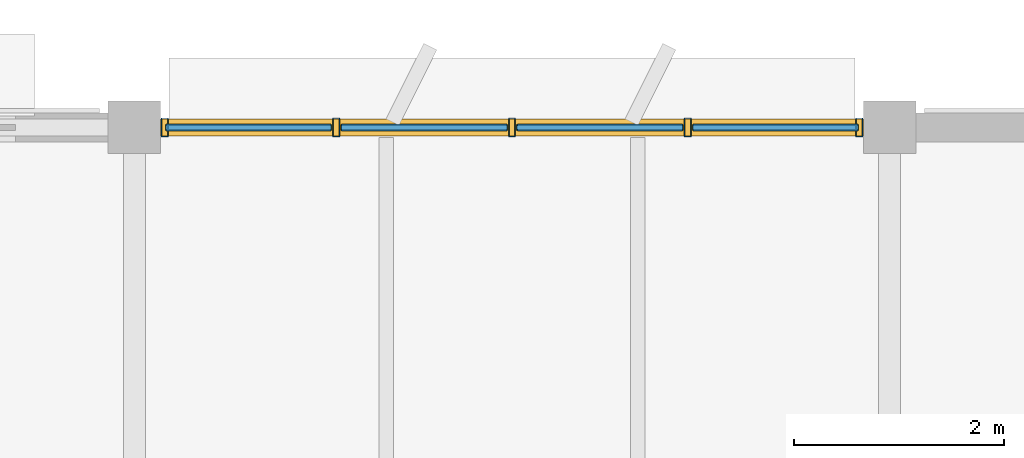
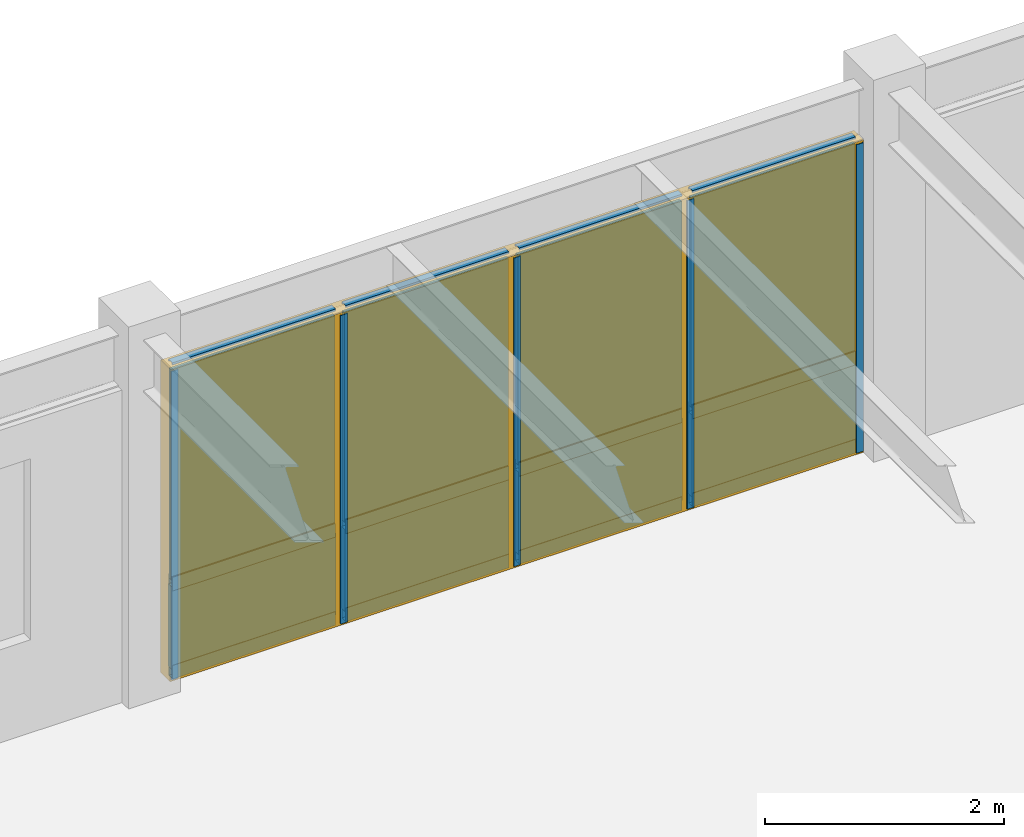
# One storey, part 16 of 23: 17 members, 8 plates, 1 curtain wall.
"""IFC4 building model written with IfcOpenShell, lengths in metres."""

from ifc_helpers import new_model, si_unit, direction, frame, origin, origin_2d, place, context, subcontext, project, spatial, rectangle, hollow_rectangle, extrude, material, layer, layer_set, material_profile, profile_set, type_object, element, aggregate, save


model = new_model("IFC4")

# Units and contexts
model_context = context("Model", 3, precision=1e-05, world=origin(), true_north=direction((0.0, 1.0)))
body_context = subcontext(model_context, "Body", "Model", "MODEL_VIEW")
ifc_project = project(units=[si_unit("LENGTHUNIT", "METRE"), si_unit("AREAUNIT", "SQUARE_METRE"), si_unit("VOLUMEUNIT", "CUBIC_METRE"), si_unit("PLANEANGLEUNIT", "RADIAN"), si_unit("MASSUNIT", "GRAM", prefix="KILO")], contexts=[model_context])

# Member
ifc_material_1 = material(Name="Anodized Aluminium 6063-T6", Category="aluminium")
ifc_material_profile_1 = material_profile(ifc_material_1, hollow_rectangle(XDim=0.06494140625, YDim=0.179931640625, WallThickness=0.00390625, at=origin_2d()), Name="ALU 65x180x4")
ifc_profile_set_1 = profile_set([ifc_material_profile_1], Name="Anodized Aluminium 6063-T6")
member_type_1 = type_object("IfcMemberType", Name="CWM-65X150", PredefinedType="MULLION", material=ifc_profile_set_1)
site_placement = place(None, origin())
building_placement = place(site_placement, origin())
storey_placement = place(building_placement, frame((0.0, 0.0, 21.89990234375)))
member_1_placement = place(storey_placement, frame((65.090087890625, 115.199951171875, 0.02001953125), z_axis=(0.0, 0.0, 1.0), x_axis=(1.0, 0.0, 0.0)))
member_1 = element("IfcMember", 1, at=member_1_placement, type_object=member_type_1, Name="Curtain wall mullion CW-L06-09-15-N-00", PredefinedType="MULLION", context=body_context, shape_type="SweptSolid", body=[
    extrude(hollow_rectangle(XDim=0.06494140625, YDim=0.179931640625, WallThickness=0.00390625, at=origin_2d()), origin(), (0.0, 0.0, 1.0), 3.152099609375),
])

member_2_placement = place(storey_placement, frame((66.72509765625, 115.199951171875, 0.02001953125), z_axis=(0.0, 0.0, 1.0), x_axis=(1.0, 0.0, 0.0)))
member_2 = element("IfcMember", 2, at=member_2_placement, type_object=member_type_1, Name="Curtain wall mullion CW-L06-09-15-N-01", PredefinedType="MULLION", context=body_context, shape_type="SweptSolid", body=[
    extrude(hollow_rectangle(XDim=0.06494140625, YDim=0.179931640625, WallThickness=0.00390625, at=origin_2d()), origin(), (0.0, 0.0, 1.0), 3.152099609375),
])

member_3_placement = place(storey_placement, frame((68.39990234375, 115.199951171875, 0.02001953125), z_axis=(0.0, 0.0, 1.0), x_axis=(1.0, 0.0, 0.0)))
member_3 = element("IfcMember", 3, at=member_3_placement, type_object=member_type_1, Name="Curtain wall mullion CW-L06-09-15-N-02", PredefinedType="MULLION", context=body_context, shape_type="SweptSolid", body=[
    extrude(hollow_rectangle(XDim=0.06494140625, YDim=0.179931640625, WallThickness=0.00390625, at=origin_2d()), origin(), (0.0, 0.0, 1.0), 3.152099609375),
])

member_4_placement = place(storey_placement, frame((70.074951171875, 115.199951171875, 0.02001953125), z_axis=(0.0, 0.0, 1.0), x_axis=(1.0, 0.0, 0.0)))
member_4 = element("IfcMember", 4, at=member_4_placement, type_object=member_type_1, Name="Curtain wall mullion CW-L06-09-15-N-03", PredefinedType="MULLION", context=body_context, shape_type="SweptSolid", body=[
    extrude(hollow_rectangle(XDim=0.06494140625, YDim=0.179931640625, WallThickness=0.00390625, at=origin_2d()), origin(), (0.0, 0.0, 1.0), 3.152099609375),
])

member_5_placement = place(storey_placement, frame((71.7099609375, 115.199951171875, 0.02001953125), z_axis=(0.0, 0.0, 1.0), x_axis=(1.0, 0.0, 0.0)))
member_5 = element("IfcMember", 5, at=member_5_placement, type_object=member_type_1, Name="Curtain wall mullion CW-L06-09-15-N-04", PredefinedType="MULLION", context=body_context, shape_type="SweptSolid", body=[
    extrude(hollow_rectangle(XDim=0.06494140625, YDim=0.179931640625, WallThickness=0.00390625, at=origin_2d()), origin(), (0.0, 0.0, 1.0), 3.152099609375),
])

ifc_material_profile_2 = material_profile(ifc_material_1, hollow_rectangle(XDim=0.06494140625, YDim=0.139892578125, WallThickness=0.00390625, at=origin_2d()), Name="ALU 65x140x4")
ifc_profile_set_2 = profile_set([ifc_material_profile_2], Name="Anodized Aluminium 6063-T6")
member_type_2 = type_object("IfcMemberType", Name="CWT-65X120", PredefinedType="USERDEFINED", material=ifc_profile_set_2)
member_6_placement = place(storey_placement, frame((65.10009765625, 115.199951171875, 0.050048828125), z_axis=(1.0, 0.0, 0.0), x_axis=(0.0, 1.0, 0.0)))
member_6 = element("IfcMember", 6, at=member_6_placement, type_object=member_type_2, Name="Curtain wall transom CW-L06-09-15-N-1.01", ObjectType="TRANSOM", PredefinedType="USERDEFINED", context=body_context, shape_type="SweptSolid", body=[
    extrude(hollow_rectangle(XDim=0.06494140625, YDim=0.139892578125, WallThickness=0.00390625, at=origin_2d()), origin(), (0.0, 0.0, 1.0), 1.574951171875),
])

member_7_placement = place(storey_placement, frame((66.77490234375, 115.199951171875, 0.050048828125), z_axis=(1.0, 0.0, 0.0), x_axis=(0.0, 1.0, 0.0)))
member_7 = element("IfcMember", 7, at=member_7_placement, type_object=member_type_2, Name="Curtain wall transom CW-L06-09-15-N-1.02", ObjectType="TRANSOM", PredefinedType="USERDEFINED", context=body_context, shape_type="SweptSolid", body=[
    extrude(hollow_rectangle(XDim=0.06494140625, YDim=0.139892578125, WallThickness=0.00390625, at=origin_2d()), origin(), (0.0, 0.0, 1.0), 1.5751953125),
])

member_8_placement = place(storey_placement, frame((68.449951171875, 115.199951171875, 0.050048828125), z_axis=(1.0, 0.0, 0.0), x_axis=(0.0, 1.0, 0.0)))
member_8 = element("IfcMember", 8, at=member_8_placement, type_object=member_type_2, Name="Curtain wall transom CW-L06-09-15-N-1.03", ObjectType="TRANSOM", PredefinedType="USERDEFINED", context=body_context, shape_type="SweptSolid", body=[
    extrude(hollow_rectangle(XDim=0.06494140625, YDim=0.139892578125, WallThickness=0.00390625, at=origin_2d()), origin(), (0.0, 0.0, 1.0), 1.574951171875),
])

member_9_placement = place(storey_placement, frame((70.125, 115.199951171875, 0.050048828125), z_axis=(1.0, 0.0, 0.0), x_axis=(0.0, 1.0, 0.0)))
member_9 = element("IfcMember", 9, at=member_9_placement, type_object=member_type_2, Name="Curtain wall transom CW-L06-09-15-N-1.04", ObjectType="TRANSOM", PredefinedType="USERDEFINED", context=body_context, shape_type="SweptSolid", body=[
    extrude(hollow_rectangle(XDim=0.06494140625, YDim=0.139892578125, WallThickness=0.00390625, at=origin_2d()), origin(), (0.0, 0.0, 1.0), 1.574951171875),
])

member_10_placement = place(storey_placement, frame((65.10009765625, 115.199951171875, 0.9501953125), z_axis=(1.0, 0.0, 0.0), x_axis=(0.0, 1.0, 0.0)))
member_10 = element("IfcMember", 10, at=member_10_placement, type_object=member_type_2, Name="Curtain wall transom CW-L06-09-15-N-2.01", ObjectType="TRANSOM", PredefinedType="USERDEFINED", context=body_context, shape_type="SweptSolid", body=[
    extrude(hollow_rectangle(XDim=0.06494140625, YDim=0.139892578125, WallThickness=0.00390625, at=origin_2d()), origin(), (0.0, 0.0, 1.0), 1.574951171875),
])

member_11_placement = place(storey_placement, frame((66.77490234375, 115.199951171875, 0.9501953125), z_axis=(1.0, 0.0, 0.0), x_axis=(0.0, 1.0, 0.0)))
member_11 = element("IfcMember", 11, at=member_11_placement, type_object=member_type_2, Name="Curtain wall transom CW-L06-09-15-N-2.02", ObjectType="TRANSOM", PredefinedType="USERDEFINED", context=body_context, shape_type="SweptSolid", body=[
    extrude(hollow_rectangle(XDim=0.06494140625, YDim=0.139892578125, WallThickness=0.00390625, at=origin_2d()), origin(), (0.0, 0.0, 1.0), 1.5751953125),
])

member_12_placement = place(storey_placement, frame((68.449951171875, 115.199951171875, 0.9501953125), z_axis=(1.0, 0.0, 0.0), x_axis=(0.0, 1.0, 0.0)))
member_12 = element("IfcMember", 12, at=member_12_placement, type_object=member_type_2, Name="Curtain wall transom CW-L06-09-15-N-2.03", ObjectType="TRANSOM", PredefinedType="USERDEFINED", context=body_context, shape_type="SweptSolid", body=[
    extrude(hollow_rectangle(XDim=0.06494140625, YDim=0.139892578125, WallThickness=0.00390625, at=origin_2d()), origin(), (0.0, 0.0, 1.0), 1.574951171875),
])

member_13_placement = place(storey_placement, frame((70.125, 115.199951171875, 0.9501953125), z_axis=(1.0, 0.0, 0.0), x_axis=(0.0, 1.0, 0.0)))
member_13 = element("IfcMember", 13, at=member_13_placement, type_object=member_type_2, Name="Curtain wall transom CW-L06-09-15-N-2.04", ObjectType="TRANSOM", PredefinedType="USERDEFINED", context=body_context, shape_type="SweptSolid", body=[
    extrude(hollow_rectangle(XDim=0.06494140625, YDim=0.139892578125, WallThickness=0.00390625, at=origin_2d()), origin(), (0.0, 0.0, 1.0), 1.574951171875),
])

member_14_placement = place(storey_placement, frame((65.10009765625, 115.199951171875, 3.14208984375), z_axis=(1.0, 0.0, 0.0), x_axis=(0.0, 1.0, 0.0)))
member_14 = element("IfcMember", 14, at=member_14_placement, type_object=member_type_2, Name="Curtain wall transom CW-L06-09-15-N-3.01", ObjectType="TRANSOM", PredefinedType="USERDEFINED", context=body_context, shape_type="SweptSolid", body=[
    extrude(hollow_rectangle(XDim=0.06494140625, YDim=0.139892578125, WallThickness=0.00390625, at=origin_2d()), origin(), (0.0, 0.0, 1.0), 1.574951171875),
])

member_15_placement = place(storey_placement, frame((66.77490234375, 115.199951171875, 3.14208984375), z_axis=(1.0, 0.0, 0.0), x_axis=(0.0, 1.0, 0.0)))
member_15 = element("IfcMember", 15, at=member_15_placement, type_object=member_type_2, Name="Curtain wall transom CW-L06-09-15-N-3.02", ObjectType="TRANSOM", PredefinedType="USERDEFINED", context=body_context, shape_type="SweptSolid", body=[
    extrude(hollow_rectangle(XDim=0.06494140625, YDim=0.139892578125, WallThickness=0.00390625, at=origin_2d()), origin(), (0.0, 0.0, 1.0), 1.5751953125),
])

member_16_placement = place(storey_placement, frame((68.449951171875, 115.199951171875, 3.14208984375), z_axis=(1.0, 0.0, 0.0), x_axis=(0.0, 1.0, 0.0)))
member_16 = element("IfcMember", 16, at=member_16_placement, type_object=member_type_2, Name="Curtain wall transom CW-L06-09-15-N-3.03", ObjectType="TRANSOM", PredefinedType="USERDEFINED", context=body_context, shape_type="SweptSolid", body=[
    extrude(hollow_rectangle(XDim=0.06494140625, YDim=0.139892578125, WallThickness=0.00390625, at=origin_2d()), origin(), (0.0, 0.0, 1.0), 1.574951171875),
])

member_17_placement = place(storey_placement, frame((70.125, 115.199951171875, 3.14208984375), z_axis=(1.0, 0.0, 0.0), x_axis=(0.0, 1.0, 0.0)))
member_17 = element("IfcMember", 17, at=member_17_placement, type_object=member_type_2, Name="Curtain wall transom CW-L06-09-15-N-3.04", ObjectType="TRANSOM", PredefinedType="USERDEFINED", context=body_context, shape_type="SweptSolid", body=[
    extrude(hollow_rectangle(XDim=0.06494140625, YDim=0.139892578125, WallThickness=0.00390625, at=origin_2d()), origin(), (0.0, 0.0, 1.0), 1.574951171875),
])

# Plate
ifc_material_2 = material(Name="Double Low-E Insulated Glazing Unit", Category="glass")
ifc_layer_1 = layer(ifc_material_2, 0.0380859375)
ifc_layer_set_1 = layer_set([ifc_layer_1], Name="Double Low-E Insulated Glazing Unit")
plate_type_1 = type_object("IfcPlateType", Name="CWP-IGU-38", PredefinedType="CURTAIN_PANEL", material=ifc_layer_set_1)
plate_1_placement = place(storey_placement, frame((65.887451171875, 115.199951171875, 0.989990234375), z_axis=(0.0, 0.0, 1.0), x_axis=(1.0, 0.0, 0.0)))
plate_1 = element("IfcPlate", 18, at=plate_1_placement, type_object=plate_type_1, Name="Curtain wall vision glazing CW-L06-09-15-N-01", PredefinedType="CURTAIN_PANEL", context=body_context, shape_type="SweptSolid", body=[
    extrude(rectangle(XDim=1.5849609375, YDim=0.0400390625, at=origin_2d()), origin(), (0.0, 0.0, 1.0), 2.14208984375),
])

plate_2_placement = place(storey_placement, frame((67.5625, 115.199951171875, 0.989990234375), z_axis=(0.0, 0.0, 1.0), x_axis=(1.0, 0.0, 0.0)))
plate_2 = element("IfcPlate", 19, at=plate_2_placement, type_object=plate_type_1, Name="Curtain wall vision glazing CW-L06-09-15-N-02", PredefinedType="CURTAIN_PANEL", context=body_context, shape_type="SweptSolid", body=[
    extrude(rectangle(XDim=1.5849609375, YDim=0.0400390625, at=origin_2d()), origin(), (0.0, 0.0, 1.0), 2.14208984375),
])

plate_3_placement = place(storey_placement, frame((69.237548828125, 115.199951171875, 0.989990234375), z_axis=(0.0, 0.0, 1.0), x_axis=(1.0, 0.0, 0.0)))
plate_3 = element("IfcPlate", 20, at=plate_3_placement, type_object=plate_type_1, Name="Curtain wall vision glazing CW-L06-09-15-N-03", PredefinedType="CURTAIN_PANEL", context=body_context, shape_type="SweptSolid", body=[
    extrude(rectangle(XDim=1.5849609375, YDim=0.0400390625, at=origin_2d()), origin(), (0.0, 0.0, 1.0), 2.14208984375),
])

plate_4_placement = place(storey_placement, frame((70.91259765625, 115.199951171875, 0.989990234375), z_axis=(0.0, 0.0, 1.0), x_axis=(1.0, 0.0, 0.0)))
plate_4 = element("IfcPlate", 21, at=plate_4_placement, type_object=plate_type_1, Name="Curtain wall vision glazing CW-L06-09-15-N-04", PredefinedType="CURTAIN_PANEL", context=body_context, shape_type="SweptSolid", body=[
    extrude(rectangle(XDim=1.5849609375, YDim=0.0400390625, at=origin_2d()), origin(), (0.0, 0.0, 1.0), 2.14208984375),
])

ifc_material_3 = material(Name="Insulated Bronze Aluminium Spandrel", Category="aluminium")
ifc_layer_2 = layer(ifc_material_3, 0.06005859375)
ifc_layer_set_2 = layer_set([ifc_layer_2], Name="Insulated Bronze Aluminium Spandrel")
plate_type_2 = type_object("IfcPlateType", Name="CWP-SPN-60", PredefinedType="CURTAIN_PANEL", material=ifc_layer_set_2)
plate_5_placement = place(storey_placement, frame((65.887451171875, 115.199951171875, 0.080078125), z_axis=(0.0, 0.0, 1.0), x_axis=(1.0, 0.0, 0.0)))
plate_5 = element("IfcPlate", 22, at=plate_5_placement, type_object=plate_type_2, Name="Curtain wall spandrel panel CW-L06-09-15-N-01", PredefinedType="CURTAIN_PANEL", context=body_context, shape_type="SweptSolid", body=[
    extrude(rectangle(XDim=1.5849609375, YDim=0.06005859375, at=origin_2d()), origin(), (0.0, 0.0, 1.0), 0.840087890625),
])

plate_6_placement = place(storey_placement, frame((67.5625, 115.199951171875, 0.080078125), z_axis=(0.0, 0.0, 1.0), x_axis=(1.0, 0.0, 0.0)))
plate_6 = element("IfcPlate", 23, at=plate_6_placement, type_object=plate_type_2, Name="Curtain wall spandrel panel CW-L06-09-15-N-02", PredefinedType="CURTAIN_PANEL", context=body_context, shape_type="SweptSolid", body=[
    extrude(rectangle(XDim=1.5849609375, YDim=0.06005859375, at=origin_2d()), origin(), (0.0, 0.0, 1.0), 0.840087890625),
])

plate_7_placement = place(storey_placement, frame((69.237548828125, 115.199951171875, 0.080078125), z_axis=(0.0, 0.0, 1.0), x_axis=(1.0, 0.0, 0.0)))
plate_7 = element("IfcPlate", 24, at=plate_7_placement, type_object=plate_type_2, Name="Curtain wall spandrel panel CW-L06-09-15-N-03", PredefinedType="CURTAIN_PANEL", context=body_context, shape_type="SweptSolid", body=[
    extrude(rectangle(XDim=1.5849609375, YDim=0.06005859375, at=origin_2d()), origin(), (0.0, 0.0, 1.0), 0.840087890625),
])

plate_8_placement = place(storey_placement, frame((70.91259765625, 115.199951171875, 0.080078125), z_axis=(0.0, 0.0, 1.0), x_axis=(1.0, 0.0, 0.0)))
plate_8 = element("IfcPlate", 25, at=plate_8_placement, type_object=plate_type_2, Name="Curtain wall spandrel panel CW-L06-09-15-N-04", PredefinedType="CURTAIN_PANEL", context=body_context, shape_type="SweptSolid", body=[
    extrude(rectangle(XDim=1.5849609375, YDim=0.06005859375, at=origin_2d()), origin(), (0.0, 0.0, 1.0), 0.840087890625),
])

# Site, building, storey
site = spatial("IfcSite", under=ifc_project, at=site_placement, CompositionType="ELEMENT")
building = spatial("IfcBuilding", under=site, at=building_placement, Name="Sillqori Civic Hall", CompositionType="ELEMENT")
storey = spatial("IfcBuildingStorey", under=building, at=storey_placement, Name="L06", CompositionType="ELEMENT", Elevation=21.89990234375)

# Curtain wall
ifc_material_4 = material(Name="Anodized Aluminium Curtain Wall System", Category="aluminium")
curtain_wall_type = type_object("IfcCurtainWallType", Name="CW-EX-375", PredefinedType="NOTDEFINED", material=ifc_material_4)
curtain_wall_placement = place(storey_placement, frame((68.39990234375, 115.199951171875, 0.000244140625), z_axis=(0.0, 0.0, 1.0), x_axis=(1.0, 0.0, 0.0)))
curtain_wall = element("IfcCurtainWall", 26, at=curtain_wall_placement, inside=storey, type_object=curtain_wall_type, Name="L06 unitised curtain wall CW-L06-09-15-N", PredefinedType="NOTDEFINED", context=body_context, shape_type="SweptSolid", body=[
    extrude(rectangle(XDim=6.699951171875, YDim=0.159912109375, at=origin_2d()), origin(), (0.0, 0.0, 1.0), 3.19189453125),
])

aggregate(curtain_wall, [member_1, member_2, member_3, member_4, member_5, member_6, member_7, member_8, member_9, member_10, member_11, member_12, member_13, member_14, member_15, member_16, member_17, plate_5, plate_1, plate_6, plate_2, plate_7, plate_3, plate_8, plate_4])

save(model, "model.ifc")
